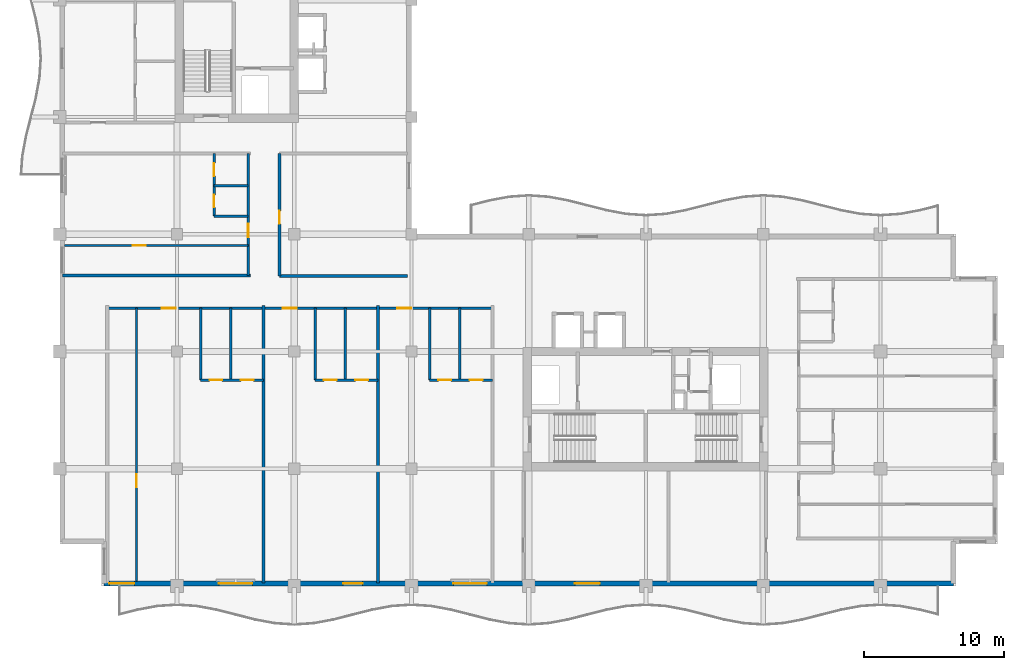
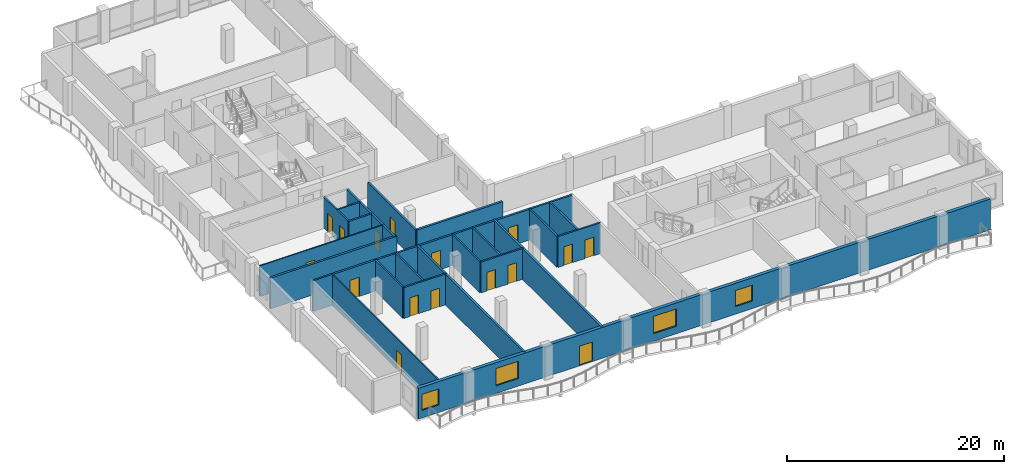
# One storey, part 6 of 16: 22 walls, 16 doors, 4 windows, 20 openings.
"""IFC4 building model written with IfcOpenShell, lengths in metres."""

import ifcopenshell
import ifcopenshell.guid

model = None  # the IFC model being written
_history = None  # IfcOwnerHistory: only IFC2X3 demands one
_inside = {}  # id of a spatial element -> (the spatial element, [elements in it])
_under = {}  # id of a project, library or spatial element -> (it, [spatial elements below it])
_declared = {}  # id of a project -> (the project, [libraries it declares])
_typed = {}  # id of a type object -> (the type object, [elements of that type])
_made_of = {}  # id of a material, layer set ... -> (it, [elements and type objects made of it])


def new_model(schema):
    """Start an empty IFC model of exactly this schema.

    Asked for "IFC4X3", IfcOpenShell would pick the latest addendum, in which some entities
    have other attributes; the version numbers below select the first issue.
    IFC2X3 requires an IfcOwnerHistory on every rooted entity: one is made here for all.
    """
    global model, _history
    if schema == "IFC4X3":
        model = ifcopenshell.file(schema_version=(4, 3, 0, 0))
    else:
        model = ifcopenshell.file(schema=schema)
    _inside.clear()
    _under.clear()
    _declared.clear()
    _typed.clear()
    _made_of.clear()
    _history = None
    if model.schema == "IFC2X3":
        org = make("IfcOrganization", Name="unknown")
        user = make(
            "IfcPersonAndOrganization",
            ThePerson=make("IfcPerson", FamilyName="unknown"),
            TheOrganization=org,
        )
        app = make(
            "IfcApplication",
            ApplicationDeveloper=org,
            Version="unknown",
            ApplicationFullName="unknown",
            ApplicationIdentifier="unknown",
        )
        _history = make(
            "IfcOwnerHistory",
            OwningUser=user,
            OwningApplication=app,
            ChangeAction="ADDED",
            CreationDate=0,
        )
    return model


def make(cls, **values):
    """One entity of the class cls with the attributes given. An attribute that is None is left unset."""
    return model.create_entity(
        cls, **{name: value for name, value in values.items() if value is not None}
    )


def rooted(cls, **values):
    """An entity with a GlobalId (a new one), such as an element, a storey or a relation."""
    return make(cls, GlobalId=ifcopenshell.guid.new(), OwnerHistory=_history, **values)


def si_unit(unit_type, name, prefix=None):
    """IfcSIUnit, for example si_unit("LENGTHUNIT", "METRE", prefix="MILLI")."""
    return make("IfcSIUnit", UnitType=unit_type, Prefix=prefix, Name=name)


def assignment(units):
    """IfcUnitAssignment: the units of a project."""
    return None if units is None else make("IfcUnitAssignment", Units=units)


def point(xyz):
    """IfcCartesianPoint."""
    return None if xyz is None else make("IfcCartesianPoint", Coordinates=xyz)


def direction(xyz):
    """IfcDirection."""
    return None if xyz is None else make("IfcDirection", DirectionRatios=xyz)


def frame(location, z_axis=None, x_axis=None):
    """IfcAxis2Placement3D, a coordinate frame: its origin and axes. An axis left out is left unset."""
    return make(
        "IfcAxis2Placement3D",
        Location=point(location),
        Axis=direction(z_axis),
        RefDirection=direction(x_axis),
    )


def frame_2d(location, x_axis=None):
    """IfcAxis2Placement2D, a coordinate frame in the plane: its origin and x axis."""
    return make(
        "IfcAxis2Placement2D", Location=point(location), RefDirection=direction(x_axis)
    )


def origin():
    """The frame at (0, 0, 0) with its axes left unset."""
    return frame((0.0, 0.0, 0.0))


def place(relative_to, where):
    """IfcLocalPlacement: puts the frame where relative to a parent placement (None: the world)."""
    return make(
        "IfcLocalPlacement", PlacementRelTo=relative_to, RelativePlacement=where
    )


def context(
    kind, dimensions, precision=None, world=None, true_north=None, identifier=None
):
    """IfcGeometricRepresentationContext, for example the 3D "Model" context."""
    return make(
        "IfcGeometricRepresentationContext",
        ContextIdentifier=identifier,
        ContextType=kind,
        CoordinateSpaceDimension=dimensions,
        Precision=precision,
        WorldCoordinateSystem=world,
        TrueNorth=true_north,
    )


def subcontext(parent, identifier, kind, view, scale=None):
    """IfcGeometricRepresentationSubContext, for example "Body" below "Model"."""
    return make(
        "IfcGeometricRepresentationSubContext",
        ContextIdentifier=identifier,
        ContextType=kind,
        ParentContext=parent,
        TargetScale=scale,
        TargetView=view,
    )


def project(units=None, contexts=None):
    """IfcProject with its units and contexts."""
    return rooted(
        "IfcProject",
        Name="project",
        RepresentationContexts=contexts,
        UnitsInContext=assignment(units),
    )


def spatial(cls, under=None, at=None, **own):
    """A site, building, storey or space (cls), placed at a placement, below another one or the project."""
    s = rooted(cls, ObjectPlacement=at, **own)
    if under is not None:
        _under.setdefault(under.id(), (under, []))[1].append(s)
    return s


def profile(cls, at=None, kind="AREA", **sizes):
    """A parametric profile (cls). Its sizes go by their IFC names, for example OverallWidth=200.0."""
    return make(cls, ProfileType=kind, Position=at, **sizes)


def rectangle(**sizes):
    """IfcRectangleProfileDef."""
    return profile("IfcRectangleProfileDef", **sizes)


def extrude(swept, where, along, depth):
    """IfcExtrudedAreaSolid: the profile swept, set in the frame where, extruded along a direction by depth."""
    return make(
        "IfcExtrudedAreaSolid",
        SweptArea=swept,
        Position=where,
        ExtrudedDirection=direction(along),
        Depth=depth,
    )


def shape(context_of_items, identifier, shape_type, items):
    """IfcShapeRepresentation: the items that make up one representation, for example the "Body"."""
    return make(
        "IfcShapeRepresentation",
        ContextOfItems=context_of_items,
        RepresentationIdentifier=identifier,
        RepresentationType=shape_type,
        Items=items,
    )


def material(Name=None, Category=None):
    """IfcMaterial."""
    return make("IfcMaterial", Name=Name, Category=Category)


def layer(
    of_material, thickness, ventilated=None, Name=None, Category=None, Priority=None
):
    """IfcMaterialLayer: one layer of a wall or slab, of a material (None: an air gap)."""
    return make(
        "IfcMaterialLayer",
        Material=of_material,
        LayerThickness=thickness,
        IsVentilated=ventilated,
        Name=Name,
        Category=Category,
        Priority=Priority,
    )


def layer_set(layers, Name=None):
    """IfcMaterialLayerSet."""
    return make("IfcMaterialLayerSet", MaterialLayers=layers, LayerSetName=Name)


def made_of(thing, what):
    """Note that an element or type object is made of a material, layer set ...; save() writes the relation."""
    if what is not None:
        _made_of.setdefault(what.id(), (what, []))[1].append(thing)
    return thing


def type_object(cls, material=None, **own):
    """A type object (cls), such as IfcWallType, which elements share."""
    return made_of(rooted(cls, **own), material)


def element(
    cls,
    number,
    at=None,
    inside=None,
    cuts=None,
    type_object=None,
    material=None,
    context=None,
    identifier="Body",
    shape_type=None,
    held_by="IfcProductDefinitionShape",
    body=None,
    shapes=None,
    **own,
):
    """One element of the class cls, such as IfcWall. Its Tag is "e" and its number.

    at: its placement. inside: the storey or other place that contains it. cuts: it is an
    opening in that element (IfcRelVoidsElement). A single representation is given by context,
    identifier, shape_type and body (its items); several are given by shapes. held_by: the class
    of the entity that holds the representations. save() writes the other relations.
    """
    e = rooted(cls, Tag="e%d" % number, ObjectPlacement=at, **own)
    if body is not None:
        shapes = [shape(context, identifier, shape_type, body)]
    if shapes is not None:
        e.Representation = make(held_by, Representations=shapes)
    if inside is not None:
        _inside.setdefault(inside.id(), (inside, []))[1].append(e)
    if cuts is not None:
        rooted(
            "IfcRelVoidsElement", RelatingBuildingElement=cuts, RelatedOpeningElement=e
        )
    if type_object is not None:
        _typed.setdefault(type_object.id(), (type_object, []))[1].append(e)
    return made_of(e, material)


def fill(opening, filler):
    """IfcRelFillsElement: the door or window that sits in an opening."""
    return rooted(
        "IfcRelFillsElement",
        RelatingOpeningElement=opening,
        RelatedBuildingElement=filler,
    )


def aggregate(whole, parts):
    """IfcRelAggregates: a whole, such as a stair, and the parts it consists of."""
    return rooted("IfcRelAggregates", RelatingObject=whole, RelatedObjects=parts)


def save(model, path):
    """Write the relations noted so far, then the file.

    IfcRelAggregates (storeys below a building ...), IfcRelContainedInSpatialStructure (elements
    in a storey), IfcRelDefinesByType, IfcRelAssociatesMaterial and IfcRelDeclares: one each for
    every whole, place, type object, material and project.
    """
    for whole, parts in _under.values():
        aggregate(whole, parts)
    for where, things in _inside.values():
        rooted(
            "IfcRelContainedInSpatialStructure",
            RelatedElements=things,
            RelatingStructure=where,
        )
    for kind, things in _typed.values():
        rooted("IfcRelDefinesByType", RelatedObjects=things, RelatingType=kind)
    for what, things in _made_of.values():
        rooted("IfcRelAssociatesMaterial", RelatedObjects=things, RelatingMaterial=what)
    for by, libraries in _declared.values():
        rooted("IfcRelDeclares", RelatingContext=by, RelatedDefinitions=libraries)
    model.write(path)


model = new_model("IFC4")

# Units and contexts
model_context = context("Model", 3, precision=1e-05, world=origin(), true_north=direction((0.0, 1.0)))
body_context = subcontext(model_context, "Body", "Model", "MODEL_VIEW")
ifc_project = project(units=[si_unit("LENGTHUNIT", "METRE"), si_unit("AREAUNIT", "SQUARE_METRE"), si_unit("VOLUMEUNIT", "CUBIC_METRE"), si_unit("PLANEANGLEUNIT", "RADIAN"), si_unit("MASSUNIT", "GRAM", prefix="KILO")], contexts=[model_context])

# Site, building, storey
site_placement = place(None, origin())
site = spatial("IfcSite", under=ifc_project, at=site_placement, CompositionType="ELEMENT")
building_placement = place(site_placement, origin())
building = spatial("IfcBuilding", under=site, at=building_placement, Name="Koriwani Terraces Tower", CompositionType="ELEMENT")
storey_placement = place(building_placement, frame((0.0, 0.0, 252.699951171875)))
storey = spatial("IfcBuildingStorey", under=building, at=storey_placement, Name="L62", CompositionType="ELEMENT", Elevation=252.699951171875)

# Wall, opening, door
ifc_material_1 = material(Name="Autoclaved Cellular Concrete Blockwork", Category="masonry")
ifc_layer_1 = layer(ifc_material_1, 0.199951171875, Name="Autoclaved Cellular Concrete Blockwork")
ifc_layer_set_1 = layer_set([ifc_layer_1], Name="Autoclaved Cellular Concrete Blockwork")
wall_type_1 = type_object("IfcWallType", Name="WALL_CORRIDOR_200", PredefinedType="PARTITIONING", material=ifc_layer_set_1)
wall_1_placement = place(storey_placement, frame((24.14990234375, 30.60009765625, 0.0), z_axis=(0.0, 0.0, 1.0), x_axis=(0.0, 1.0, 0.0)))
wall_1 = element("IfcWall", 1, at=wall_1_placement, inside=storey, type_object=wall_type_1, Name="L62 Interior Wall WIC4W-L62", PredefinedType="PARTITIONING", context=body_context, shape_type="SweptSolid", body=[
    extrude(rectangle(XDim=8.7998046875, YDim=0.199951171875, at=frame_2d((4.39990234375, 0.0))), origin(), (0.0, 0.0, 1.0), 3.469970703125),
])
opening_1_placement = place(wall_1_placement, frame((3.75, 0.0, 0.0)))
opening_1 = element("IfcOpeningElement", 2, at=opening_1_placement, cuts=wall_1, Name="Opening D-06", PredefinedType="OPENING", context=body_context, shape_type="SweptSolid", body=[
    extrude(rectangle(XDim=0.919921875, YDim=2.10009765625, at=frame_2d((0.4599609375, 1.050048828125))), frame((0.0, 0.10986328125, 0.0), z_axis=(0.0, -1.0, 0.0), x_axis=(1.0, 0.0, 0.0)), (0.0, 0.0, 1.0), 0.219970703125),
])
ifc_material_2 = material(Name="Architectural Oak Fire Door", Category="wood")
door_type_1 = type_object("IfcDoorType", Name="DOOR_ROOM_INT_920X2100", OperationType="NOTDEFINED", PredefinedType="DOOR", material=ifc_material_2)
door_1_placement = place(opening_1_placement, origin())
door_1 = element("IfcDoor", 3, at=door_1_placement, inside=storey, type_object=door_type_1, Name="L62 High-Rise Court Study Door", OperationType="SINGLE_SWING_RIGHT", OverallHeight=2.10009765625, OverallWidth=0.919921875, PredefinedType="DOOR", context=body_context, shape_type="SweptSolid", body=[
    extrude(rectangle(XDim=0.919921875, YDim=2.10009765625, at=frame_2d((0.4599609375, 1.050048828125))), frame((0.0, 0.02490234375, 0.0), z_axis=(0.0, -1.0, 0.0), x_axis=(1.0, 0.0, 0.0)), (0.0, 0.0, 1.0), 0.050048828125),
])
fill(opening_1, door_1)

# Wall, openings, doors
wall_2_placement = place(storey_placement, frame((11.800048828125, 28.300048828125, 0.0), z_axis=(0.0, 0.0, 1.0), x_axis=(1.0, 0.0, 0.0)))
wall_2 = element("IfcWall", 4, at=wall_2_placement, inside=storey, type_object=wall_type_1, Name="L62 Interior Wall WRCOR-L62-SW-0", PredefinedType="PARTITIONING", context=body_context, shape_type="SweptSolid", body=[
    extrude(rectangle(XDim=27.599853515625, YDim=0.199951171875, at=frame_2d((13.7998046875, 0.0))), origin(), (0.0, 0.0, 1.0), 3.469970703125),
])
opening_2_placement = place(wall_2_placement, frame((3.919921875, 0.0, 0.0)))
opening_2 = element("IfcOpeningElement", 5, at=opening_2_placement, cuts=wall_2, Name="Opening D-05", PredefinedType="OPENING", context=body_context, shape_type="SweptSolid", body=[
    extrude(rectangle(XDim=1.0, YDim=2.14990234375, at=frame_2d((0.5, 1.074951171875))), frame((0.0, 0.10986328125, 0.0), z_axis=(0.0, -1.0, 0.0), x_axis=(1.0, 0.0, 0.0)), (0.0, 0.0, 1.0), 0.219970703125),
])
opening_3_placement = place(wall_2_placement, frame((12.570068359375, 0.0, 0.0)))
opening_3 = element("IfcOpeningElement", 6, at=opening_3_placement, cuts=wall_2, Name="Opening D-05", PredefinedType="OPENING", context=body_context, shape_type="SweptSolid", body=[
    extrude(rectangle(XDim=1.0, YDim=2.14990234375, at=frame_2d((0.5, 1.074951171875))), frame((0.0, 0.10986328125, 0.0), z_axis=(0.0, -1.0, 0.0), x_axis=(1.0, 0.0, 0.0)), (0.0, 0.0, 1.0), 0.219970703125),
])
opening_4_placement = place(wall_2_placement, frame((20.77001953125, 0.0, 0.0)))
opening_4 = element("IfcOpeningElement", 7, at=opening_4_placement, cuts=wall_2, Name="Opening D-05", PredefinedType="OPENING", context=body_context, shape_type="SweptSolid", body=[
    extrude(rectangle(XDim=1.0, YDim=2.14990234375, at=frame_2d((0.5, 1.074951171875))), frame((0.0, 0.10986328125, 0.0), z_axis=(0.0, -1.0, 0.0), x_axis=(1.0, 0.0, 0.0)), (0.0, 0.0, 1.0), 0.219970703125),
])
door_type_2 = type_object("IfcDoorType", Name="DOOR_SUITE_ENTRY_1000X2150", OperationType="NOTDEFINED", PredefinedType="DOOR", material=ifc_material_2)
door_2_placement = place(opening_2_placement, origin())
door_2 = element("IfcDoor", 8, at=door_2_placement, inside=storey, type_object=door_type_2, Name="Apartment 62SW1 Entrance Door", OperationType="SINGLE_SWING_LEFT", OverallHeight=2.14990234375, OverallWidth=1.0, PredefinedType="DOOR", context=body_context, shape_type="SweptSolid", body=[
    extrude(rectangle(XDim=1.0, YDim=2.14990234375, at=frame_2d((0.5, 1.074951171875))), frame((0.0, 0.02490234375, 0.0), z_axis=(0.0, -1.0, 0.0), x_axis=(1.0, 0.0, 0.0)), (0.0, 0.0, 1.0), 0.050048828125),
])
fill(opening_2, door_2)
door_3_placement = place(opening_3_placement, origin())
door_3 = element("IfcDoor", 9, at=door_3_placement, inside=storey, type_object=door_type_2, Name="Apartment 62SW2 Entrance Door", OperationType="SINGLE_SWING_LEFT", OverallHeight=2.14990234375, OverallWidth=1.0, PredefinedType="DOOR", context=body_context, shape_type="SweptSolid", body=[
    extrude(rectangle(XDim=1.0, YDim=2.14990234375, at=frame_2d((0.5, 1.074951171875))), frame((0.0, 0.02490234375, 0.0), z_axis=(0.0, -1.0, 0.0), x_axis=(1.0, 0.0, 0.0)), (0.0, 0.0, 1.0), 0.050048828125),
])
fill(opening_3, door_3)
door_4_placement = place(opening_4_placement, origin())
door_4 = element("IfcDoor", 10, at=door_4_placement, inside=storey, type_object=door_type_2, Name="Apartment 62SW3 Entrance Door", OperationType="SINGLE_SWING_RIGHT", OverallHeight=2.14990234375, OverallWidth=1.0, PredefinedType="DOOR", context=body_context, shape_type="SweptSolid", body=[
    extrude(rectangle(XDim=1.0, YDim=2.14990234375, at=frame_2d((0.5, 1.074951171875))), frame((0.0, 0.02490234375, 0.0), z_axis=(0.0, -1.0, 0.0), x_axis=(1.0, 0.0, 0.0)), (0.0, 0.0, 1.0), 0.050048828125),
])
fill(opening_4, door_4)

# Wall, opening, door
wall_3_placement = place(storey_placement, frame((21.89990234375, 30.64990234375, 0.0), z_axis=(0.0, 0.0, 1.0), x_axis=(0.0, 1.0, 0.0)))
wall_3 = element("IfcWall", 11, at=wall_3_placement, inside=storey, type_object=wall_type_1, Name="L62 Interior Wall WRCOR-L62-NE-0", PredefinedType="PARTITIONING", context=body_context, shape_type="SweptSolid", body=[
    extrude(rectangle(XDim=8.75, YDim=0.199951171875, at=frame_2d((4.375, 0.0))), origin(), (0.0, 0.0, 1.0), 3.469970703125),
])
opening_5_placement = place(wall_3_placement, frame((2.719970703125, 0.0, 0.0)))
opening_5 = element("IfcOpeningElement", 12, at=opening_5_placement, cuts=wall_3, Name="Opening D-05", PredefinedType="OPENING", context=body_context, shape_type="SweptSolid", body=[
    extrude(rectangle(XDim=1.0, YDim=2.14990234375, at=frame_2d((0.5, 1.074951171875))), frame((0.0, 0.10986328125, 0.0), z_axis=(0.0, -1.0, 0.0), x_axis=(1.0, 0.0, 0.0)), (0.0, 0.0, 1.0), 0.219970703125),
])
door_5_placement = place(opening_5_placement, origin())
door_5 = element("IfcDoor", 13, at=door_5_placement, inside=storey, type_object=door_type_2, Name="Apartment 62NE1 Entrance Door", OperationType="SINGLE_SWING_LEFT", OverallHeight=2.14990234375, OverallWidth=1.0, PredefinedType="DOOR", context=body_context, shape_type="SweptSolid", body=[
    extrude(rectangle(XDim=1.0, YDim=2.14990234375, at=frame_2d((0.5, 1.074951171875))), frame((0.0, 0.02490234375, 0.0), z_axis=(0.0, -1.0, 0.0), x_axis=(1.0, 0.0, 0.0)), (0.0, 0.0, 1.0), 0.050048828125),
])
fill(opening_5, door_5)

# Walls
ifc_layer_2 = layer(ifc_material_1, 0.219970703125, Name="Autoclaved Cellular Concrete Blockwork")
ifc_layer_set_2 = layer_set([ifc_layer_2], Name="Autoclaved Cellular Concrete Blockwork")
wall_type_2 = type_object("IfcWallType", Name="WALL_DEMISING_220", PredefinedType="PARTITIONING", material=ifc_layer_set_2)
wall_4_placement = place(storey_placement, frame((24.14990234375, 30.60009765625, 0.0), z_axis=(0.0, 0.0, 1.0), x_axis=(1.0, 0.0, 0.0)))
element("IfcWall", 14, at=wall_4_placement, inside=storey, type_object=wall_type_2, Name="L62 Interior Wall WIC4WS-L62", PredefinedType="PARTITIONING", context=body_context, shape_type="SweptSolid", body=[
    extrude(rectangle(XDim=9.150146484375, YDim=0.219970703125, at=frame_2d((4.5751953125, 0.0))), origin(), (0.0, 0.0, 1.0), 3.469970703125),
])
for number, where, z_axis, x_axis, name in (
    (15, (23.0, 8.60009765625, 0.0), (0.0, 0.0, 1.0), (0.0, 1.0, 0.0), "L62 Interior Wall WRDEM-L62-SW-1"),
    (16, (31.199951171875, 8.60009765625, 0.0), (0.0, 0.0, 1.0), (0.0, 1.0, 0.0), "L62 Interior Wall WRDEM-L62-SW-2"),
):
    element("IfcWall", number, at=place(storey_placement, frame(where, z_axis=z_axis, x_axis=x_axis)), inside=storey, type_object=wall_type_2, Name=name, PredefinedType="PARTITIONING", context=body_context, shape_type="SweptSolid", body=[
        extrude(rectangle(XDim=19.8798828125, YDim=0.219970703125, at=frame_2d((9.93994140625, 0.0))), origin(), (0.0, 0.0, 1.0), 3.469970703125),
    ])
wall_5_placement = place(storey_placement, frame((8.60009765625, 30.64990234375, 0.0), z_axis=(0.0, 0.0, 1.0), x_axis=(1.0, 0.0, 0.0)))
element("IfcWall", 17, at=wall_5_placement, inside=storey, type_object=wall_type_2, Name="L62 Interior Wall WRDEM-L62-NE-0", PredefinedType="PARTITIONING", context=body_context, shape_type="SweptSolid", body=[
    extrude(rectangle(XDim=13.47998046875, YDim=0.219970703125, at=frame_2d((6.739990234375, 0.0))), origin(), (0.0, 0.0, 1.0), 3.469970703125),
])

# Wall, openings, door, windows
ifc_material_3 = material(Name="Concrete C50/60", Category="concrete")
ifc_layer_3 = layer(ifc_material_3, 0.35009765625, Name="Concrete C50/60")
ifc_layer_set_3 = layer_set([ifc_layer_3], Name="Concrete C50/60")
wall_type_3 = type_object("IfcWallType", Name="WALL_EXT_BRUTALIST_350", PredefinedType="STANDARD", material=ifc_layer_set_3)
wall_6_placement = place(storey_placement, frame((72.425048828125, 8.574951171875, 0.0), z_axis=(0.0, 0.0, 1.0), x_axis=(-1.0, 0.0, 0.0)))
wall_6 = element("IfcWall", 18, at=wall_6_placement, inside=storey, type_object=wall_type_3, Name="L62 Fair-Faced Brutalist Exterior Wall (S)", PredefinedType="STANDARD", context=body_context, shape_type="SweptSolid", body=[
    extrude(rectangle(XDim=60.85009765625, YDim=0.35009765625, at=frame_2d((30.425048828125, 0.0))), origin(), (0.0, 0.0, 1.0), 3.469970703125),
])
opening_6_placement = place(wall_6_placement, frame((42.324951171875, 0.0, 0.0)))
opening_6 = element("IfcOpeningElement", 19, at=opening_6_placement, cuts=wall_6, Name="Opening D-09", PredefinedType="OPENING", context=body_context, shape_type="SweptSolid", body=[
    extrude(rectangle(XDim=1.39990234375, YDim=2.199951171875, at=frame_2d((0.699951171875, 1.10009765625))), frame((0.0, 0.18505859375, 0.0), z_axis=(0.0, -1.0, 0.0), x_axis=(1.0, 0.0, 0.0)), (0.0, 0.0, 1.0), 0.3701171875),
])
opening_7_placement = place(wall_6_placement, frame((50.22509765625, 0.0, 0.85009765625)))
opening_7 = element("IfcOpeningElement", 20, at=opening_7_placement, cuts=wall_6, Name="Opening W-03", PredefinedType="OPENING", context=body_context, shape_type="SweptSolid", body=[
    extrude(rectangle(XDim=2.39990234375, YDim=1.949951171875, at=frame_2d((1.199951171875, 0.97509765625))), frame((0.0, 0.18505859375, 0.0), z_axis=(0.0, -1.0, 0.0), x_axis=(1.0, 0.0, 0.0)), (0.0, 0.0, 1.0), 0.3701171875),
])
opening_8_placement = place(wall_6_placement, frame((33.425048828125, 0.0, 0.85009765625)))
opening_8 = element("IfcOpeningElement", 21, at=opening_8_placement, cuts=wall_6, Name="Opening W-03", PredefinedType="OPENING", context=body_context, shape_type="SweptSolid", body=[
    extrude(rectangle(XDim=2.39990234375, YDim=1.949951171875, at=frame_2d((1.199951171875, 0.97509765625))), frame((0.0, 0.18505859375, 0.0), z_axis=(0.0, -1.0, 0.0), x_axis=(1.0, 0.0, 0.0)), (0.0, 0.0, 1.0), 0.3701171875),
])
opening_9_placement = place(wall_6_placement, frame((25.324951171875, 0.0, 0.85009765625)))
opening_9 = element("IfcOpeningElement", 22, at=opening_9_placement, cuts=wall_6, Name="Opening W-04", PredefinedType="OPENING", context=body_context, shape_type="SweptSolid", body=[
    extrude(rectangle(XDim=1.800048828125, YDim=1.800048828125, at=frame_2d((0.89990234375, 0.89990234375))), frame((0.0, 0.18505859375, 0.0), z_axis=(0.0, -1.0, 0.0), x_axis=(1.0, 0.0, 0.0)), (0.0, 0.0, 1.0), 0.3701171875),
])
opening_10_placement = place(wall_6_placement, frame((58.675048828125, 0.0, 0.85009765625)))
opening_10 = element("IfcOpeningElement", 23, at=opening_10_placement, cuts=wall_6, Name="Opening W-04", PredefinedType="OPENING", context=body_context, shape_type="SweptSolid", body=[
    extrude(rectangle(XDim=1.800048828125, YDim=1.800048828125, at=frame_2d((0.89990234375, 0.89990234375))), frame((0.0, 0.18505859375, 0.0), z_axis=(0.0, -1.0, 0.0), x_axis=(1.0, 0.0, 0.0)), (0.0, 0.0, 1.0), 0.3701171875),
])
ifc_material_4 = material(Name="Anodised Bronze Aluminium", Category="aluminium")
door_type_3 = type_object("IfcDoorType", Name="DOOR_BALCONY_GLAZED_1400X2200", OperationType="NOTDEFINED", PredefinedType="DOOR", material=ifc_material_4)
door_6_placement = place(opening_6_placement, origin())
door_6 = element("IfcDoor", 24, at=door_6_placement, inside=storey, type_object=door_type_3, Name="L62 South Balcony Glazed Door", OperationType="SINGLE_SWING_LEFT", OverallHeight=2.199951171875, OverallWidth=1.39990234375, PredefinedType="DOOR", context=body_context, shape_type="SweptSolid", body=[
    extrude(rectangle(XDim=1.39990234375, YDim=2.199951171875, at=frame_2d((0.699951171875, 1.10009765625))), frame((0.0, 0.02490234375, 0.0), z_axis=(0.0, -1.0, 0.0), x_axis=(1.0, 0.0, 0.0)), (0.0, 0.0, 1.0), 0.050048828125),
])
fill(opening_6, door_6)
ifc_material_5 = material(Name="Tempered Laminated Low-E Glass", Category="glass")
window_type_1 = type_object("IfcWindowType", Name="WIN_RES_BED_1800X1800", PartitioningType="DOUBLE_PANEL_VERTICAL", PredefinedType="WINDOW", material=ifc_material_5)
window_1_placement = place(opening_9_placement, origin())
window_1 = element("IfcWindow", 25, at=window_1_placement, inside=storey, type_object=window_type_1, Name="L62 Exterior Window (S-12)", OverallHeight=1.800048828125, OverallWidth=1.800048828125, PartitioningType="SINGLE_PANEL", PredefinedType="WINDOW", context=body_context, shape_type="SweptSolid", body=[
    extrude(rectangle(XDim=1.800048828125, YDim=1.800048828125, at=frame_2d((0.89990234375, 0.89990234375))), frame((0.0, 0.030029296875, 0.0), z_axis=(0.0, -1.0, 0.0), x_axis=(1.0, 0.0, 0.0)), (0.0, 0.0, 1.0), 0.06005859375),
])
fill(opening_9, window_1)
window_2_placement = place(opening_10_placement, origin())
window_2 = element("IfcWindow", 26, at=window_2_placement, inside=storey, type_object=window_type_1, Name="L62 Exterior Window (S-R33)", OverallHeight=1.800048828125, OverallWidth=1.800048828125, PartitioningType="SINGLE_PANEL", PredefinedType="WINDOW", context=body_context, shape_type="SweptSolid", body=[
    extrude(rectangle(XDim=1.800048828125, YDim=1.800048828125, at=frame_2d((0.89990234375, 0.89990234375))), frame((0.0, 0.030029296875, 0.0), z_axis=(0.0, -1.0, 0.0), x_axis=(1.0, 0.0, 0.0)), (0.0, 0.0, 1.0), 0.06005859375),
])
fill(opening_10, window_2)
window_type_2 = type_object("IfcWindowType", Name="WIN_RES_LIVING_2400X1950", PartitioningType="DOUBLE_PANEL_VERTICAL", PredefinedType="WINDOW", material=ifc_material_5)
window_3_placement = place(opening_7_placement, origin())
window_3 = element("IfcWindow", 27, at=window_3_placement, inside=storey, type_object=window_type_2, Name="L62 Exterior Window (S-3)", OverallHeight=1.949951171875, OverallWidth=2.39990234375, PartitioningType="SINGLE_PANEL", PredefinedType="WINDOW", context=body_context, shape_type="SweptSolid", body=[
    extrude(rectangle(XDim=2.39990234375, YDim=1.949951171875, at=frame_2d((1.199951171875, 0.97509765625))), frame((0.0, 0.030029296875, 0.0), z_axis=(0.0, -1.0, 0.0), x_axis=(1.0, 0.0, 0.0)), (0.0, 0.0, 1.0), 0.06005859375),
])
fill(opening_7, window_3)
window_4_placement = place(opening_8_placement, origin())
window_4 = element("IfcWindow", 28, at=window_4_placement, inside=storey, type_object=window_type_2, Name="L62 Exterior Window (S-9)", OverallHeight=1.949951171875, OverallWidth=2.39990234375, PartitioningType="SINGLE_PANEL", PredefinedType="WINDOW", context=body_context, shape_type="SweptSolid", body=[
    extrude(rectangle(XDim=2.39990234375, YDim=1.949951171875, at=frame_2d((1.199951171875, 0.97509765625))), frame((0.0, 0.030029296875, 0.0), z_axis=(0.0, -1.0, 0.0), x_axis=(1.0, 0.0, 0.0)), (0.0, 0.0, 1.0), 0.06005859375),
])
fill(opening_8, window_4)

# Wall, opening, door
ifc_material_6 = material(Name="Fire-Rated Acoustic Gypsum Partition", Category="masonry")
ifc_layer_4 = layer(ifc_material_6, 0.125, Name="Fire-Rated Acoustic Gypsum Partition")
ifc_layer_set_4 = layer_set([ifc_layer_4], Name="Fire-Rated Acoustic Gypsum Partition")
wall_type_4 = type_object("IfcWallType", Name="WALL_INT_125", PredefinedType="PARTITIONING", material=ifc_layer_set_4)
wall_7_placement = place(storey_placement, frame((13.89990234375, 8.75, 0.0), z_axis=(0.0, 0.0, 1.0), x_axis=(0.0, 1.0, 0.0)))
wall_7 = element("IfcWall", 29, at=wall_7_placement, inside=storey, type_object=wall_type_4, Name="L62 Interior Wall WRBED1-L62-SW-0", PredefinedType="PARTITIONING", context=body_context, shape_type="SweptSolid", body=[
    extrude(rectangle(XDim=19.550048828125, YDim=0.125, at=frame_2d((9.77490234375, 0.0))), origin(), (0.0, 0.0, 1.0), 3.469970703125),
])
opening_11_placement = place(wall_7_placement, frame((6.739990234375, 0.0, 0.0)))
opening_11 = element("IfcOpeningElement", 30, at=opening_11_placement, cuts=wall_7, Name="Opening D-06", PredefinedType="OPENING", context=body_context, shape_type="SweptSolid", body=[
    extrude(rectangle(XDim=0.919921875, YDim=2.10009765625, at=frame_2d((0.4599609375, 1.050048828125))), frame((0.0, 0.072509765625, 0.0), z_axis=(0.0, -1.0, 0.0), x_axis=(1.0, 0.0, 0.0)), (0.0, 0.0, 1.0), 0.14501953125),
])
door_7_placement = place(opening_11_placement, origin())
door_7 = element("IfcDoor", 31, at=door_7_placement, inside=storey, type_object=door_type_1, Name="Apartment 62SW1 Master Bedroom Door", OperationType="SINGLE_SWING_RIGHT", OverallHeight=2.10009765625, OverallWidth=0.919921875, PredefinedType="DOOR", context=body_context, shape_type="SweptSolid", body=[
    extrude(rectangle(XDim=0.919921875, YDim=2.10009765625, at=frame_2d((0.4599609375, 1.050048828125))), frame((0.0, 0.02490234375, 0.0), z_axis=(0.0, -1.0, 0.0), x_axis=(1.0, 0.0, 0.0)), (0.0, 0.0, 1.0), 0.050048828125),
])
fill(opening_11, door_7)

wall_8_placement = place(storey_placement, frame((8.75, 32.800048828125, 0.0), z_axis=(0.0, 0.0, 1.0), x_axis=(1.0, 0.0, 0.0)))
wall_8 = element("IfcWall", 32, at=wall_8_placement, inside=storey, type_object=wall_type_4, Name="L62 Interior Wall WRBED1-L62-NE-0", PredefinedType="PARTITIONING", context=body_context, shape_type="SweptSolid", body=[
    extrude(rectangle(XDim=13.14990234375, YDim=0.125, at=frame_2d((6.574951171875, 0.0))), origin(), (0.0, 0.0, 1.0), 3.469970703125),
])
opening_12_placement = place(wall_8_placement, frame((4.889892578125, 0.0, 0.0)))
opening_12 = element("IfcOpeningElement", 33, at=opening_12_placement, cuts=wall_8, Name="Opening D-06", PredefinedType="OPENING", context=body_context, shape_type="SweptSolid", body=[
    extrude(rectangle(XDim=0.919921875, YDim=2.10009765625, at=frame_2d((0.4599609375, 1.050048828125))), frame((0.0, 0.072509765625, 0.0), z_axis=(0.0, -1.0, 0.0), x_axis=(1.0, 0.0, 0.0)), (0.0, 0.0, 1.0), 0.14501953125),
])
door_8_placement = place(opening_12_placement, origin())
door_8 = element("IfcDoor", 34, at=door_8_placement, inside=storey, type_object=door_type_1, Name="Apartment 62NE1 Master Bedroom Door", OperationType="SINGLE_SWING_RIGHT", OverallHeight=2.10009765625, OverallWidth=0.919921875, PredefinedType="DOOR", context=body_context, shape_type="SweptSolid", body=[
    extrude(rectangle(XDim=0.919921875, YDim=2.10009765625, at=frame_2d((0.4599609375, 1.050048828125))), frame((0.0, 0.02490234375, 0.0), z_axis=(0.0, -1.0, 0.0), x_axis=(1.0, 0.0, 0.0)), (0.0, 0.0, 1.0), 0.050048828125),
])
fill(opening_12, door_8)

# Wall, openings, doors
ifc_layer_5 = layer(ifc_material_6, 0.179931640625, Name="Fire-Rated Acoustic Gypsum Partition")
ifc_layer_set_5 = layer_set([ifc_layer_5], Name="Fire-Rated Acoustic Gypsum Partition")
wall_type_5 = type_object("IfcWallType", Name="WALL_PLUMBING_180", PredefinedType="PLUMBINGWALL", material=ifc_layer_set_5)
wall_9_placement = place(storey_placement, frame((18.5, 23.14990234375, 0.0), z_axis=(0.0, 0.0, 1.0), x_axis=(1.0, 0.0, 0.0)))
wall_9 = element("IfcWall", 35, at=wall_9_placement, inside=storey, type_object=wall_type_5, Name="L62 Interior Wall WRSVC-L62-SW-0", PredefinedType="PLUMBINGWALL", context=body_context, shape_type="SweptSolid", body=[
    extrude(rectangle(XDim=4.5, YDim=0.179931640625, at=frame_2d((2.25, 0.0))), origin(), (0.0, 0.0, 1.0), 3.469970703125),
])
opening_13_placement = place(wall_9_placement, frame((0.6298828125, 0.0, 0.0)))
opening_13 = element("IfcOpeningElement", 36, at=opening_13_placement, cuts=wall_9, Name="Opening D-07", PredefinedType="OPENING", context=body_context, shape_type="SweptSolid", body=[
    extrude(rectangle(XDim=0.89990234375, YDim=2.10009765625, at=frame_2d((0.449951171875, 1.050048828125))), frame((0.0, 0.10009765625, 0.0), z_axis=(0.0, -1.0, 0.0), x_axis=(1.0, 0.0, 0.0)), (0.0, 0.0, 1.0), 0.199951171875),
])
opening_14_placement = place(wall_9_placement, frame((2.8701171875, 0.0, 0.0)))
opening_14 = element("IfcOpeningElement", 37, at=opening_14_placement, cuts=wall_9, Name="Opening D-06", PredefinedType="OPENING", context=body_context, shape_type="SweptSolid", body=[
    extrude(rectangle(XDim=0.919921875, YDim=2.10009765625, at=frame_2d((0.4599609375, 1.050048828125))), frame((0.0, 0.10009765625, 0.0), z_axis=(0.0, -1.0, 0.0), x_axis=(1.0, 0.0, 0.0)), (0.0, 0.0, 1.0), 0.199951171875),
])
door_type_4 = type_object("IfcDoorType", Name="DOOR_BATH_INT_900X2100", OperationType="NOTDEFINED", PredefinedType="DOOR", material=ifc_material_2)
door_9_placement = place(opening_13_placement, origin())
door_9 = element("IfcDoor", 38, at=door_9_placement, inside=storey, type_object=door_type_4, Name="Apartment 62SW1 Bathroom Door", OperationType="SINGLE_SWING_RIGHT", OverallHeight=2.10009765625, OverallWidth=0.89990234375, PredefinedType="DOOR", context=body_context, shape_type="SweptSolid", body=[
    extrude(rectangle(XDim=0.89990234375, YDim=2.10009765625, at=frame_2d((0.449951171875, 1.050048828125))), frame((0.0, 0.02490234375, 0.0), z_axis=(0.0, -1.0, 0.0), x_axis=(1.0, 0.0, 0.0)), (0.0, 0.0, 1.0), 0.050048828125),
])
fill(opening_13, door_9)
door_10_placement = place(opening_14_placement, origin())
door_10 = element("IfcDoor", 39, at=door_10_placement, inside=storey, type_object=door_type_1, Name="Apartment 62SW1 Kitchen Door", OperationType="SINGLE_SWING_LEFT", OverallHeight=2.10009765625, OverallWidth=0.919921875, PredefinedType="DOOR", context=body_context, shape_type="SweptSolid", body=[
    extrude(rectangle(XDim=0.919921875, YDim=2.10009765625, at=frame_2d((0.4599609375, 1.050048828125))), frame((0.0, 0.02490234375, 0.0), z_axis=(0.0, -1.0, 0.0), x_axis=(1.0, 0.0, 0.0)), (0.0, 0.0, 1.0), 0.050048828125),
])
fill(opening_14, door_10)

# Walls
for number, where, z_axis, x_axis, name in (
    (40, (18.5, 23.14990234375, 0.0), (0.0, 0.0, 1.0), (0.0, 1.0, 0.0), "L62 Interior Wall WRSVCS-L62-SW-0"),
    (41, (20.659912109375, 23.14990234375, 0.0), (0.0, 0.0, 1.0), (0.0, 1.0, 0.0), "L62 Interior Wall WRSVCM-L62-SW-0"),
):
    element("IfcWall", number, at=place(storey_placement, frame(where, z_axis=z_axis, x_axis=x_axis)), inside=storey, type_object=wall_type_5, Name=name, PredefinedType="PLUMBINGWALL", context=body_context, shape_type="SweptSolid", body=[
        extrude(rectangle(XDim=5.150146484375, YDim=0.179931640625, at=frame_2d((2.5751953125, 0.0))), origin(), (0.0, 0.0, 1.0), 3.469970703125),
    ])

# Wall, openings, doors
wall_10_placement = place(storey_placement, frame((26.699951171875, 23.14990234375, 0.0), z_axis=(0.0, 0.0, 1.0), x_axis=(1.0, 0.0, 0.0)))
wall_10 = element("IfcWall", 42, at=wall_10_placement, inside=storey, type_object=wall_type_5, Name="L62 Interior Wall WRSVC-L62-SW-1", PredefinedType="PLUMBINGWALL", context=body_context, shape_type="SweptSolid", body=[
    extrude(rectangle(XDim=4.5, YDim=0.179931640625, at=frame_2d((2.25, 0.0))), origin(), (0.0, 0.0, 1.0), 3.469970703125),
])
opening_15_placement = place(wall_10_placement, frame((0.6298828125, 0.0, 0.0)))
opening_15 = element("IfcOpeningElement", 43, at=opening_15_placement, cuts=wall_10, Name="Opening D-07", PredefinedType="OPENING", context=body_context, shape_type="SweptSolid", body=[
    extrude(rectangle(XDim=0.89990234375, YDim=2.10009765625, at=frame_2d((0.449951171875, 1.050048828125))), frame((0.0, 0.10009765625, 0.0), z_axis=(0.0, -1.0, 0.0), x_axis=(1.0, 0.0, 0.0)), (0.0, 0.0, 1.0), 0.199951171875),
])
opening_16_placement = place(wall_10_placement, frame((2.8701171875, 0.0, 0.0)))
opening_16 = element("IfcOpeningElement", 44, at=opening_16_placement, cuts=wall_10, Name="Opening D-06", PredefinedType="OPENING", context=body_context, shape_type="SweptSolid", body=[
    extrude(rectangle(XDim=0.919921875, YDim=2.10009765625, at=frame_2d((0.4599609375, 1.050048828125))), frame((0.0, 0.10009765625, 0.0), z_axis=(0.0, -1.0, 0.0), x_axis=(1.0, 0.0, 0.0)), (0.0, 0.0, 1.0), 0.199951171875),
])
door_11_placement = place(opening_15_placement, origin())
door_11 = element("IfcDoor", 45, at=door_11_placement, inside=storey, type_object=door_type_4, Name="Apartment 62SW2 Bathroom Door", OperationType="SINGLE_SWING_RIGHT", OverallHeight=2.10009765625, OverallWidth=0.89990234375, PredefinedType="DOOR", context=body_context, shape_type="SweptSolid", body=[
    extrude(rectangle(XDim=0.89990234375, YDim=2.10009765625, at=frame_2d((0.449951171875, 1.050048828125))), frame((0.0, 0.02490234375, 0.0), z_axis=(0.0, -1.0, 0.0), x_axis=(1.0, 0.0, 0.0)), (0.0, 0.0, 1.0), 0.050048828125),
])
fill(opening_15, door_11)
door_12_placement = place(opening_16_placement, origin())
door_12 = element("IfcDoor", 46, at=door_12_placement, inside=storey, type_object=door_type_1, Name="Apartment 62SW2 Kitchen Door", OperationType="SINGLE_SWING_LEFT", OverallHeight=2.10009765625, OverallWidth=0.919921875, PredefinedType="DOOR", context=body_context, shape_type="SweptSolid", body=[
    extrude(rectangle(XDim=0.919921875, YDim=2.10009765625, at=frame_2d((0.4599609375, 1.050048828125))), frame((0.0, 0.02490234375, 0.0), z_axis=(0.0, -1.0, 0.0), x_axis=(1.0, 0.0, 0.0)), (0.0, 0.0, 1.0), 0.050048828125),
])
fill(opening_16, door_12)

# Walls
for number, where, z_axis, x_axis, name in (
    (47, (26.699951171875, 23.14990234375, 0.0), (0.0, 0.0, 1.0), (0.0, 1.0, 0.0), "L62 Interior Wall WRSVCS-L62-SW-1"),
    (48, (28.860107421875, 23.14990234375, 0.0), (0.0, 0.0, 1.0), (0.0, 1.0, 0.0), "L62 Interior Wall WRSVCM-L62-SW-1"),
):
    element("IfcWall", number, at=place(storey_placement, frame(where, z_axis=z_axis, x_axis=x_axis)), inside=storey, type_object=wall_type_5, Name=name, PredefinedType="PLUMBINGWALL", context=body_context, shape_type="SweptSolid", body=[
        extrude(rectangle(XDim=5.150146484375, YDim=0.179931640625, at=frame_2d((2.5751953125, 0.0))), origin(), (0.0, 0.0, 1.0), 3.469970703125),
    ])

# Wall, openings, doors
wall_11_placement = place(storey_placement, frame((34.89990234375, 23.14990234375, 0.0), z_axis=(0.0, 0.0, 1.0), x_axis=(1.0, 0.0, 0.0)))
wall_11 = element("IfcWall", 49, at=wall_11_placement, inside=storey, type_object=wall_type_5, Name="L62 Interior Wall WRSVC-L62-SW-2", PredefinedType="PLUMBINGWALL", context=body_context, shape_type="SweptSolid", body=[
    extrude(rectangle(XDim=4.5, YDim=0.179931640625, at=frame_2d((2.25, 0.0))), origin(), (0.0, 0.0, 1.0), 3.469970703125),
])
opening_17_placement = place(wall_11_placement, frame((0.6298828125, 0.0, 0.0)))
opening_17 = element("IfcOpeningElement", 50, at=opening_17_placement, cuts=wall_11, Name="Opening D-07", PredefinedType="OPENING", context=body_context, shape_type="SweptSolid", body=[
    extrude(rectangle(XDim=0.89990234375, YDim=2.10009765625, at=frame_2d((0.449951171875, 1.050048828125))), frame((0.0, 0.10009765625, 0.0), z_axis=(0.0, -1.0, 0.0), x_axis=(1.0, 0.0, 0.0)), (0.0, 0.0, 1.0), 0.199951171875),
])
opening_18_placement = place(wall_11_placement, frame((2.8701171875, 0.0, 0.0)))
opening_18 = element("IfcOpeningElement", 51, at=opening_18_placement, cuts=wall_11, Name="Opening D-06", PredefinedType="OPENING", context=body_context, shape_type="SweptSolid", body=[
    extrude(rectangle(XDim=0.919921875, YDim=2.10009765625, at=frame_2d((0.4599609375, 1.050048828125))), frame((0.0, 0.10009765625, 0.0), z_axis=(0.0, -1.0, 0.0), x_axis=(1.0, 0.0, 0.0)), (0.0, 0.0, 1.0), 0.199951171875),
])
door_13_placement = place(opening_17_placement, origin())
door_13 = element("IfcDoor", 52, at=door_13_placement, inside=storey, type_object=door_type_4, Name="Apartment 62SW3 Bathroom Door", OperationType="SINGLE_SWING_LEFT", OverallHeight=2.10009765625, OverallWidth=0.89990234375, PredefinedType="DOOR", context=body_context, shape_type="SweptSolid", body=[
    extrude(rectangle(XDim=0.89990234375, YDim=2.10009765625, at=frame_2d((0.449951171875, 1.050048828125))), frame((0.0, 0.02490234375, 0.0), z_axis=(0.0, -1.0, 0.0), x_axis=(1.0, 0.0, 0.0)), (0.0, 0.0, 1.0), 0.050048828125),
])
fill(opening_17, door_13)
door_14_placement = place(opening_18_placement, origin())
door_14 = element("IfcDoor", 53, at=door_14_placement, inside=storey, type_object=door_type_1, Name="Apartment 62SW3 Kitchen Door", OperationType="SINGLE_SWING_RIGHT", OverallHeight=2.10009765625, OverallWidth=0.919921875, PredefinedType="DOOR", context=body_context, shape_type="SweptSolid", body=[
    extrude(rectangle(XDim=0.919921875, YDim=2.10009765625, at=frame_2d((0.4599609375, 1.050048828125))), frame((0.0, 0.02490234375, 0.0), z_axis=(0.0, -1.0, 0.0), x_axis=(1.0, 0.0, 0.0)), (0.0, 0.0, 1.0), 0.050048828125),
])
fill(opening_18, door_14)

# Walls
for number, where, z_axis, x_axis, name in (
    (54, (34.89990234375, 23.14990234375, 0.0), (0.0, 0.0, 1.0), (0.0, 1.0, 0.0), "L62 Interior Wall WRSVCS-L62-SW-2"),
    (55, (37.06005859375, 23.14990234375, 0.0), (0.0, 0.0, 1.0), (0.0, 1.0, 0.0), "L62 Interior Wall WRSVCM-L62-SW-2"),
):
    element("IfcWall", number, at=place(storey_placement, frame(where, z_axis=z_axis, x_axis=x_axis)), inside=storey, type_object=wall_type_5, Name=name, PredefinedType="PLUMBINGWALL", context=body_context, shape_type="SweptSolid", body=[
        extrude(rectangle(XDim=5.150146484375, YDim=0.179931640625, at=frame_2d((2.5751953125, 0.0))), origin(), (0.0, 0.0, 1.0), 3.469970703125),
    ])

# Wall, openings, doors
wall_12_placement = place(storey_placement, frame((19.449951171875, 34.89990234375, 0.0), z_axis=(0.0, 0.0, 1.0), x_axis=(0.0, 1.0, 0.0)))
wall_12 = element("IfcWall", 56, at=wall_12_placement, inside=storey, type_object=wall_type_5, Name="L62 Interior Wall WRSVC-L62-NE-0", PredefinedType="PLUMBINGWALL", context=body_context, shape_type="SweptSolid", body=[
    extrude(rectangle(XDim=4.5, YDim=0.179931640625, at=frame_2d((2.25, 0.0))), origin(), (0.0, 0.0, 1.0), 3.469970703125),
])
opening_19_placement = place(wall_12_placement, frame((0.6298828125, 0.0, 0.0)))
opening_19 = element("IfcOpeningElement", 57, at=opening_19_placement, cuts=wall_12, Name="Opening D-07", PredefinedType="OPENING", context=body_context, shape_type="SweptSolid", body=[
    extrude(rectangle(XDim=0.89990234375, YDim=2.10009765625, at=frame_2d((0.449951171875, 1.050048828125))), frame((0.0, 0.10009765625, 0.0), z_axis=(0.0, -1.0, 0.0), x_axis=(1.0, 0.0, 0.0)), (0.0, 0.0, 1.0), 0.199951171875),
])
opening_20_placement = place(wall_12_placement, frame((2.8701171875, 0.0, 0.0)))
opening_20 = element("IfcOpeningElement", 58, at=opening_20_placement, cuts=wall_12, Name="Opening D-06", PredefinedType="OPENING", context=body_context, shape_type="SweptSolid", body=[
    extrude(rectangle(XDim=0.919921875, YDim=2.10009765625, at=frame_2d((0.4599609375, 1.050048828125))), frame((0.0, 0.10009765625, 0.0), z_axis=(0.0, -1.0, 0.0), x_axis=(1.0, 0.0, 0.0)), (0.0, 0.0, 1.0), 0.199951171875),
])
door_15_placement = place(opening_19_placement, origin())
door_15 = element("IfcDoor", 59, at=door_15_placement, inside=storey, type_object=door_type_4, Name="Apartment 62NE1 Bathroom Door", OperationType="SINGLE_SWING_RIGHT", OverallHeight=2.10009765625, OverallWidth=0.89990234375, PredefinedType="DOOR", context=body_context, shape_type="SweptSolid", body=[
    extrude(rectangle(XDim=0.89990234375, YDim=2.10009765625, at=frame_2d((0.449951171875, 1.050048828125))), frame((0.0, 0.02490234375, 0.0), z_axis=(0.0, -1.0, 0.0), x_axis=(1.0, 0.0, 0.0)), (0.0, 0.0, 1.0), 0.050048828125),
])
fill(opening_19, door_15)
door_16_placement = place(opening_20_placement, origin())
door_16 = element("IfcDoor", 60, at=door_16_placement, inside=storey, type_object=door_type_1, Name="Apartment 62NE1 Kitchen Door", OperationType="SINGLE_SWING_LEFT", OverallHeight=2.10009765625, OverallWidth=0.919921875, PredefinedType="DOOR", context=body_context, shape_type="SweptSolid", body=[
    extrude(rectangle(XDim=0.919921875, YDim=2.10009765625, at=frame_2d((0.4599609375, 1.050048828125))), frame((0.0, 0.02490234375, 0.0), z_axis=(0.0, -1.0, 0.0), x_axis=(1.0, 0.0, 0.0)), (0.0, 0.0, 1.0), 0.050048828125),
])
fill(opening_20, door_16)

# Walls
for number, where, z_axis, x_axis, name in (
    (61, (19.449951171875, 34.89990234375, 0.0), (0.0, 0.0, 1.0), (1.0, 0.0, 0.0), "L62 Interior Wall WRSVCS-L62-NE-0"),
    (62, (19.449951171875, 37.06005859375, 0.0), (0.0, 0.0, 1.0), (1.0, 0.0, 0.0), "L62 Interior Wall WRSVCM-L62-NE-0"),
):
    element("IfcWall", number, at=place(storey_placement, frame(where, z_axis=z_axis, x_axis=x_axis)), inside=storey, type_object=wall_type_5, Name=name, PredefinedType="PLUMBINGWALL", context=body_context, shape_type="SweptSolid", body=[
        extrude(rectangle(XDim=2.449951171875, YDim=0.179931640625, at=frame_2d((1.22509765625, 0.0))), origin(), (0.0, 0.0, 1.0), 3.469970703125),
    ])

save(model, "model.ifc")
